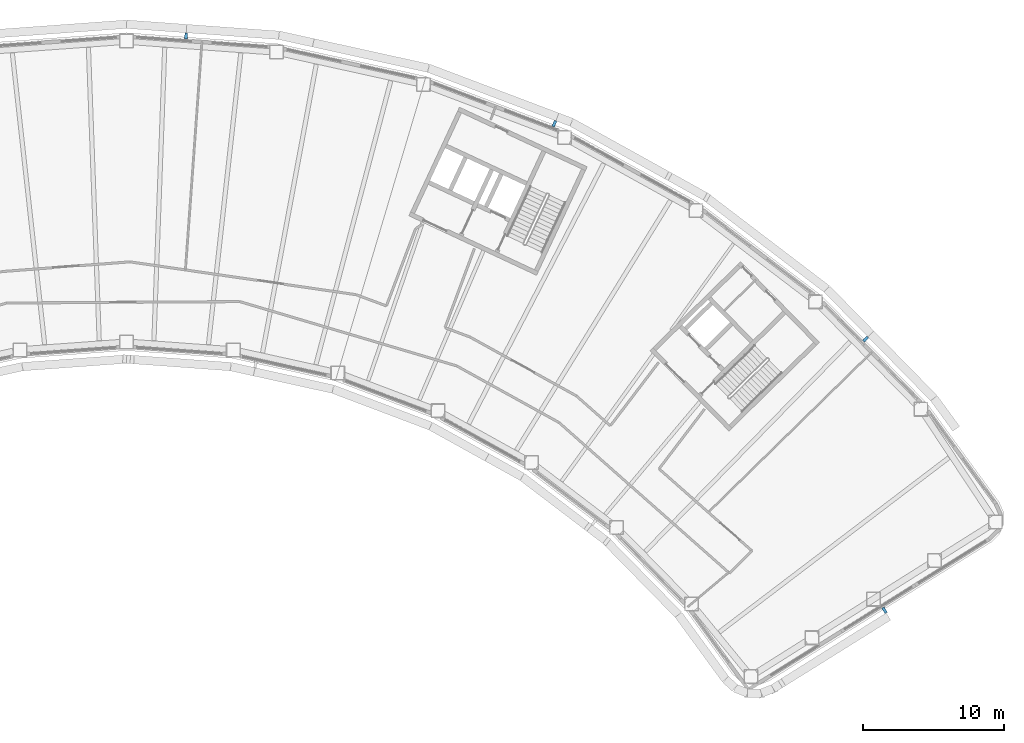
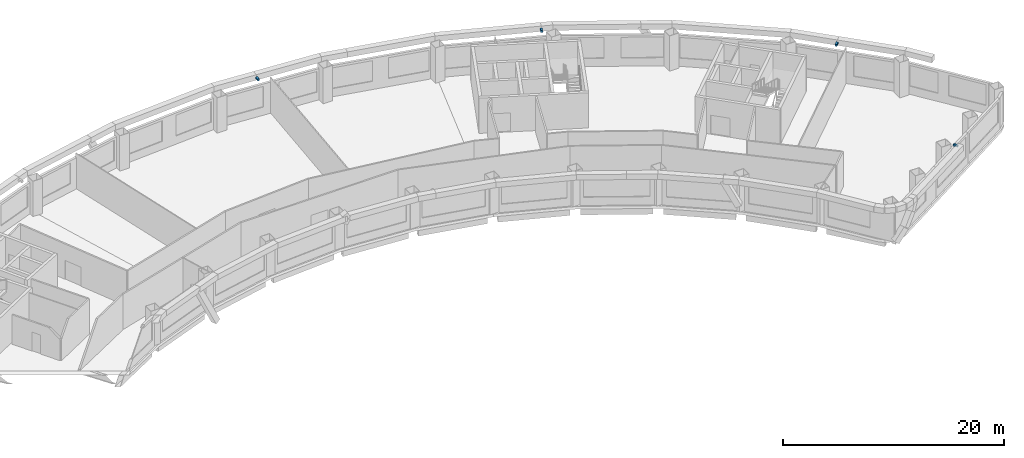
# One storey, part 10 of 13: 4 discrete accessories.
"""IFC4 building model written with IfcOpenShell, lengths in metres."""

from ifc_helpers import new_model, si_unit, direction, frame, origin, origin_2d, place, context, subcontext, project, spatial, rectangle, extrude, material, type_object, element, save


model = new_model("IFC4")

# Units and contexts
model_context = context("Model", 3, precision=1e-05, world=origin(), true_north=direction((0.0, 1.0)))
body_context = subcontext(model_context, "Body", "Model", "MODEL_VIEW")
ifc_project = project(units=[si_unit("LENGTHUNIT", "METRE"), si_unit("AREAUNIT", "SQUARE_METRE"), si_unit("VOLUMEUNIT", "CUBIC_METRE"), si_unit("PLANEANGLEUNIT", "RADIAN"), si_unit("MASSUNIT", "GRAM", prefix="KILO")], contexts=[model_context])

# Site, building, storey
site_placement = place(None, origin())
site = spatial("IfcSite", under=ifc_project, at=site_placement, CompositionType="ELEMENT")
building_placement = place(site_placement, origin())
building = spatial("IfcBuilding", under=site, at=building_placement, Name="Tuul Gate Civic Tower", CompositionType="ELEMENT")
storey_placement = place(building_placement, frame((0.0, 0.0, 150.800048828125)))
storey = spatial("IfcBuildingStorey", under=building, at=storey_placement, Name="Level 34", CompositionType="ELEMENT", Elevation=150.800048828125)

# Discrete accessories
ifc_material = material(Name="Stainless steel", Category="steel")
discrete_accessory_type = type_object("IfcDiscreteAccessoryType", Name="Screen bracket", PredefinedType="BRACKET", material=ifc_material)
discrete_accessory_1_placement = place(storey_placement, frame((57.8095703125, -11.904296875, 3.75), z_axis=(0.0, 0.0, 1.0), x_axis=(0.704906613617, 0.709300124122, 0.0)))
element("IfcDiscreteAccessory", 1, at=discrete_accessory_1_placement, inside=storey, type_object=discrete_accessory_type, Name="Screen bracket 3", PredefinedType="BRACKET", context=body_context, shape_type="SweptSolid", body=[
    extrude(rectangle(XDim=0.449951171875, YDim=0.199951171875, at=origin_2d()), origin(), (0.0, 0.0, 1.0), 0.199951171875),
])
discrete_accessory_2_placement = place(storey_placement, frame((35.72900390625, 3.375244140625, 3.75), z_axis=(0.0, 0.0, 1.0), x_axis=(0.407423730543, 0.913239236887, 0.0)))
element("IfcDiscreteAccessory", 2, at=discrete_accessory_2_placement, inside=storey, type_object=discrete_accessory_type, Name="Screen bracket 6", PredefinedType="BRACKET", context=body_context, shape_type="SweptSolid", body=[
    extrude(rectangle(XDim=0.45068359375, YDim=0.199951171875, at=origin_2d()), origin(), (0.0, 0.0, 1.0), 0.199951171875),
])
discrete_accessory_3_placement = place(storey_placement, frame((9.599853515625, 9.6025390625, 3.75), z_axis=(0.0, 0.0, 1.0), x_axis=(0.056807793651, 0.998385133393, 0.0)))
element("IfcDiscreteAccessory", 3, at=discrete_accessory_3_placement, inside=storey, type_object=discrete_accessory_type, Name="Screen bracket 9", PredefinedType="BRACKET", context=body_context, shape_type="SweptSolid", body=[
    extrude(rectangle(XDim=0.4501953125, YDim=0.199951171875, at=origin_2d()), origin(), (0.0, 0.0, 1.0), 0.199951171875),
])
discrete_accessory_4_placement = place(storey_placement, frame((59.15478515625, -31.1494140625, 3.75), z_axis=(0.0, 0.0, 1.0), x_axis=(0.536424954277, -0.84394802472, 0.0)))
element("IfcDiscreteAccessory", 4, at=discrete_accessory_4_placement, inside=storey, type_object=discrete_accessory_type, Name="Screen bracket 33", PredefinedType="BRACKET", context=body_context, shape_type="SweptSolid", body=[
    extrude(rectangle(XDim=0.449951171875, YDim=0.199951171875, at=origin_2d()), origin(), (0.0, 0.0, 1.0), 0.199951171875),
])

save(model, "model.ifc")
